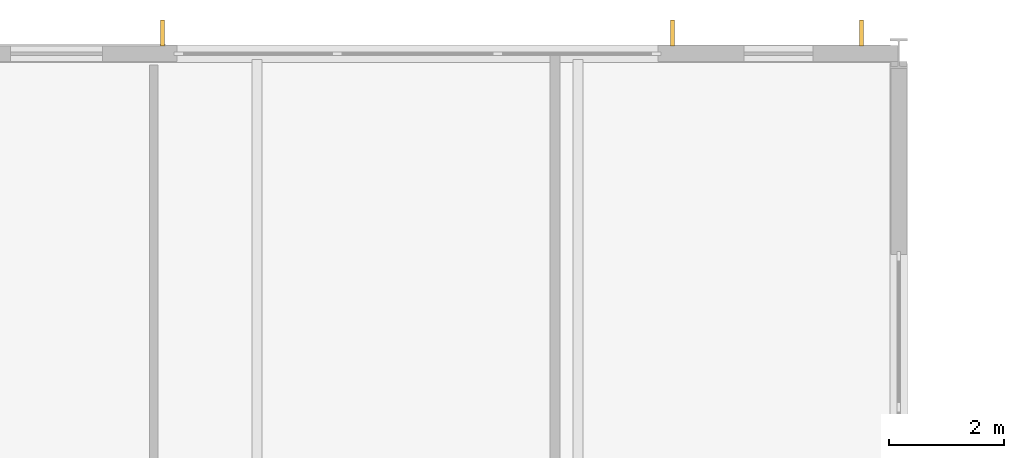
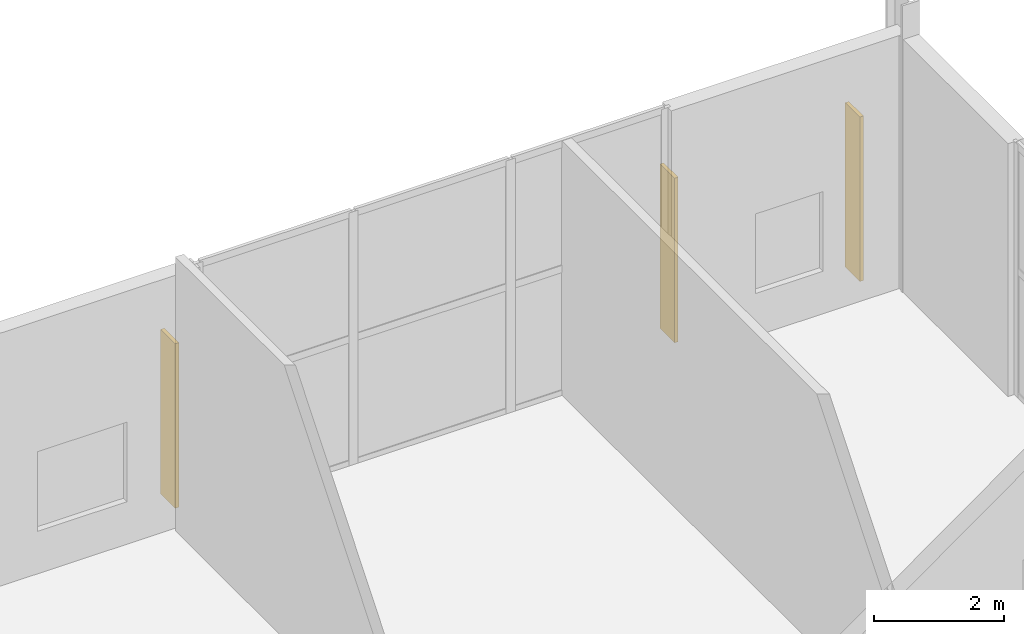
# One storey, part 84 of 84: 3 shading devices.
"""IFC4 building model written with IfcOpenShell, lengths in metres."""

from ifc_helpers import new_model, si_unit, direction, frame, origin, origin_2d, place, context, subcontext, project, spatial, rectangle, extrude, material, type_object, element, save


model = new_model("IFC4")

# Units and contexts
model_context = context("Model", 3, precision=1e-05, world=origin(), true_north=direction((0.0, 1.0)))
body_context = subcontext(model_context, "Body", "Model", "MODEL_VIEW")
ifc_project = project(units=[si_unit("LENGTHUNIT", "METRE"), si_unit("AREAUNIT", "SQUARE_METRE"), si_unit("VOLUMEUNIT", "CUBIC_METRE"), si_unit("PLANEANGLEUNIT", "RADIAN"), si_unit("MASSUNIT", "GRAM", prefix="KILO")], contexts=[model_context])

# Site, building, storey
site_placement = place(None, origin())
site = spatial("IfcSite", under=ifc_project, at=site_placement, CompositionType="ELEMENT")
building_placement = place(site_placement, origin())
building = spatial("IfcBuilding", under=site, at=building_placement, Name="Kimbaza Rail Terminus", CompositionType="ELEMENT")
storey_placement = place(building_placement, frame((0.0, 0.0, 5.39990234375)))
storey = spatial("IfcBuildingStorey", under=building, at=storey_placement, Name="L01", CompositionType="ELEMENT", Elevation=5.39990234375)

# Shading devices
ifc_material = material(Name="Champagne anodised extruded aluminium", Category="aluminium")
shading_device_type = type_object("IfcShadingDeviceType", Name="ARC-SHD-FIN450", PredefinedType="USERDEFINED", material=ifc_material)
for number, where, z_axis, x_axis, name in (
    (1, (143.14990234375, 133.363037109375, 0.150146484375), (0.0, 0.0, 1.0), (1.0, 0.0, 0.0), "North Solar Fin L01 Bay 6.2"),
    (2, (152.050048828125, 133.363037109375, 0.150146484375), (0.0, 0.0, 1.0), (1.0, 0.0, 0.0), "North Solar Fin L01 Bay 6.3"),
    (3, (155.35009765625, 133.363037109375, 0.150146484375), (0.0, 0.0, 1.0), (1.0, 0.0, 0.0), "North Solar Fin L01 Bay 6.4"),
):
    element("IfcShadingDevice", number, at=place(storey_placement, frame(where, z_axis=z_axis, x_axis=x_axis)), inside=storey, type_object=shading_device_type, Name=name, ObjectType="BRISE SOLEIL FIN", PredefinedType="USERDEFINED", context=body_context, shape_type="SweptSolid", body=[
        extrude(rectangle(XDim=0.06494140625, YDim=0.449951171875, at=origin_2d()), origin(), (0.0, 0.0, 1.0), 3.10009765625),
    ])

save(model, "model.ifc")
